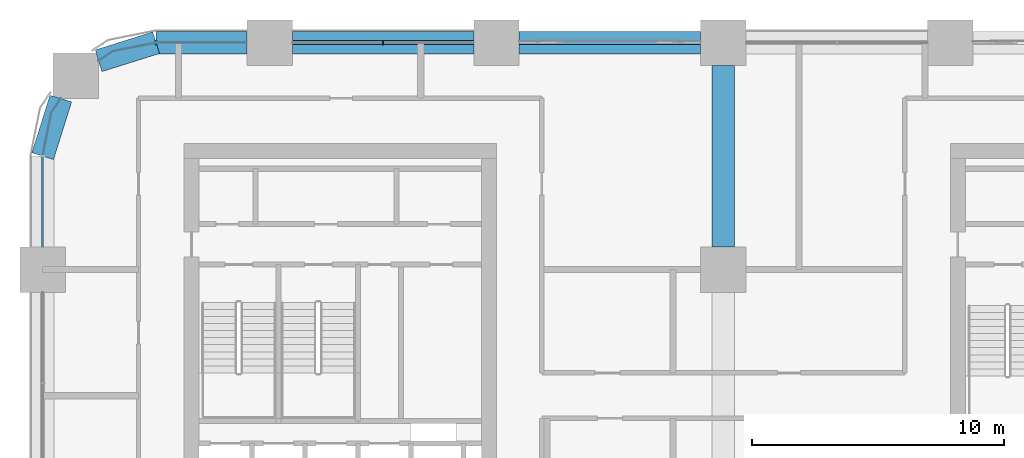
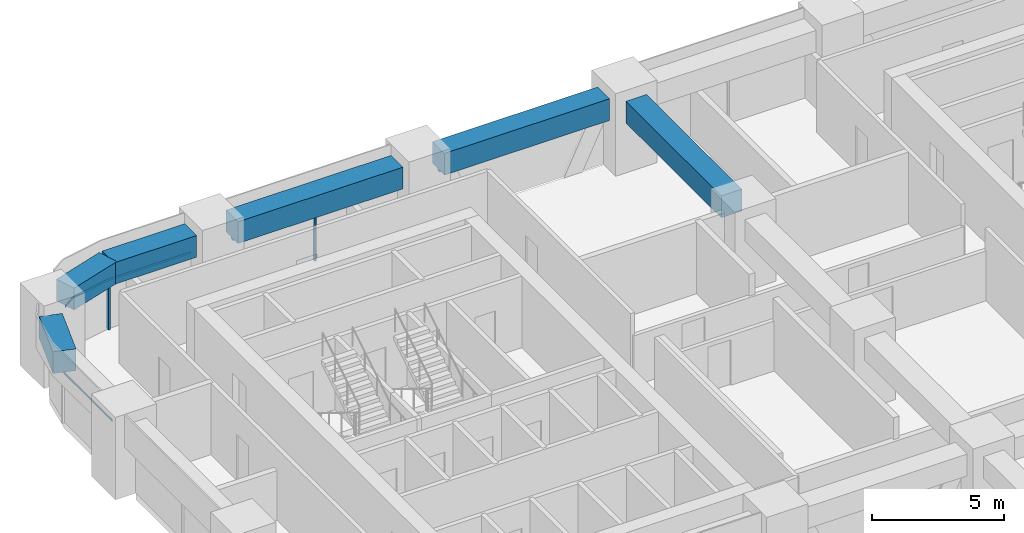
# One storey, part 8 of 20: 6 beams, 6 members, 4 elements without a shape of their own.
"""IFC4 building model written with IfcOpenShell, lengths in metres."""

from ifc_helpers import new_model, si_unit, direction, frame, origin, origin_2d, place, context, subcontext, project, spatial, polyline, rectangle, outline, extrude, material, material_profile, profile_set, type_object, element, aggregate, save


model = new_model("IFC4")

# Units and contexts
model_context = context("Model", 3, precision=1e-05, world=origin(), true_north=direction((0.0, 1.0)))
body_context = subcontext(model_context, "Body", "Model", "MODEL_VIEW")
ifc_project = project(units=[si_unit("LENGTHUNIT", "METRE"), si_unit("AREAUNIT", "SQUARE_METRE"), si_unit("VOLUMEUNIT", "CUBIC_METRE"), si_unit("PLANEANGLEUNIT", "RADIAN"), si_unit("MASSUNIT", "GRAM", prefix="KILO")], contexts=[model_context])

# Site, building, storey
site_placement = place(None, origin())
site = spatial("IfcSite", under=ifc_project, at=site_placement, CompositionType="ELEMENT")
building_placement = place(site_placement, origin())
building = spatial("IfcBuilding", under=site, at=building_placement, Name="Tessera Arch", CompositionType="ELEMENT")
storey_placement = place(building_placement, frame((0.0, 0.0, 119.60009765625)))
storey = spatial("IfcBuildingStorey", under=building, at=storey_placement, Name="L28", CompositionType="ELEMENT", Elevation=119.60009765625)

# Curtain wall, members
ifc_material_1 = material(Name="CW1 curtain wall")
curtain_wall_type_1 = type_object("IfcCurtainWallType", Name="CW1 curtain wall", PredefinedType="NOTDEFINED", material=ifc_material_1)
curtain_wall_1_placement = place(storey_placement, origin())
curtain_wall_1 = element("IfcCurtainWall", 1, at=curtain_wall_1_placement, inside=storey, type_object=curtain_wall_type_1, Name="CW1 curtain wall N54.0/3 L28", PredefinedType="NOTDEFINED")
ifc_material_2 = material(Name="Anodised aluminium pale metal", Category="aluminium")
ifc_material_profile_1 = material_profile(ifc_material_2, rectangle(XDim=0.159912109375, YDim=0.06005859375, at=origin_2d()), Name="AL 60x160")
ifc_profile_set_1 = profile_set([ifc_material_profile_1], Name="Anodised aluminium pale metal")
member_type_1 = type_object("IfcMemberType", Name="CW1 mullion", PredefinedType="MULLION", material=ifc_profile_set_1)
member_1_placement = place(storey_placement, frame((13.5, 54.0, 0.0), z_axis=(0.0, 0.0, 1.0), x_axis=(0.0, -1.0, 0.0)))
member_1 = element("IfcMember", 2, at=member_1_placement, type_object=member_type_1, Name="CW1 mullion N54.0/3 1", PredefinedType="MULLION", context=body_context, shape_type="SweptSolid", body=[
    extrude(rectangle(XDim=0.159912109375, YDim=0.06005859375, at=origin_2d()), origin(), (0.0, 0.0, 1.0), 2.199951171875),
])
ifc_material_3 = material(Name="Anodised aluminium pale metal", Category="aluminium")
ifc_material_profile_2 = material_profile(ifc_material_3, rectangle(XDim=0.159912109375, YDim=0.10009765625, at=origin_2d()), Name="AL 160x100")
ifc_profile_set_2 = profile_set([ifc_material_profile_2], Name="Anodised aluminium pale metal")
member_type_2 = type_object("IfcMemberType", Name="CW1 transom", PredefinedType="USERDEFINED", material=ifc_profile_set_2)
member_2_placement = place(storey_placement, frame((17.10009765625, 54.0, 2.25), z_axis=(-1.0, 0.0, 0.0), x_axis=(0.0, -1.0, 0.0)))
member_2 = element("IfcMember", 3, at=member_2_placement, type_object=member_type_2, Name="CW1 transom N54.0/3 1.1", ObjectType="TRANSOM", PredefinedType="USERDEFINED", context=body_context, shape_type="SweptSolid", body=[
    extrude(rectangle(XDim=0.159912109375, YDim=0.10009765625, at=origin_2d()), origin(), (0.0, 0.0, 1.0), 7.2001953125),
])
aggregate(curtain_wall_1, [member_1, member_2])

ifc_material_4 = material(Name="CW2 curtain wall")
curtain_wall_type_2 = type_object("IfcCurtainWallType", Name="CW2 curtain wall", PredefinedType="NOTDEFINED", material=ifc_material_4)
curtain_wall_2_placement = place(storey_placement, origin())
curtain_wall_2 = element("IfcCurtainWall", 4, at=curtain_wall_2_placement, inside=storey, type_object=curtain_wall_type_2, Name="CW2 curtain wall N54.0/4 L28", PredefinedType="NOTDEFINED")
ifc_material_5 = material(Name="Anodised aluminium pale metal", Category="aluminium")
ifc_material_profile_3 = material_profile(ifc_material_5, rectangle(XDim=0.199951171875, YDim=0.080078125, at=origin_2d()), Name="AL 80x200")
ifc_profile_set_3 = profile_set([ifc_material_profile_3], Name="Anodised aluminium pale metal")
member_type_3 = type_object("IfcMemberType", Name="CW2 mullion", PredefinedType="MULLION", material=ifc_profile_set_3)
member_3_placement = place(storey_placement, frame((4.5, 54.0, 0.0), z_axis=(0.0, 0.0, 1.0), x_axis=(0.0, -1.0, 0.0)))
member_3 = element("IfcMember", 5, at=member_3_placement, type_object=member_type_3, Name="CW2 mullion N54.0/4 1", PredefinedType="MULLION", context=body_context, shape_type="SweptSolid", body=[
    extrude(rectangle(XDim=0.199951171875, YDim=0.080078125, at=origin_2d()), origin(), (0.0, 0.0, 1.0), 2.199951171875),
])
ifc_material_6 = material(Name="Anodised aluminium pale metal", Category="aluminium")
ifc_material_profile_4 = material_profile(ifc_material_6, rectangle(XDim=0.199951171875, YDim=0.10009765625, at=origin_2d()), Name="AL 200x100")
ifc_profile_set_4 = profile_set([ifc_material_profile_4], Name="Anodised aluminium pale metal")
member_type_4 = type_object("IfcMemberType", Name="CW2 transom", PredefinedType="USERDEFINED", material=ifc_profile_set_4)
member_4_placement = place(storey_placement, frame((0.0, 0.0, 2.199951171875)))
member_4 = element("IfcMember", 6, at=member_4_placement, type_object=member_type_4, Name="CW2 transom N54.0/4 1", ObjectType="TRANSOM", PredefinedType="USERDEFINED", context=body_context, shape_type="SweptSolid", body=[
    extrude(outline(polyline([(4.5009765625, 53.989990234375), (8.10009765625, 53.989990234375), (8.10009765625, 54.010009765625), (4.4990234375, 54.010009765625), (2.77392578125, 53.6669921875), (2.21240234375, 53.29150390625), (2.2236328125, 53.27490234375), (2.78173828125, 53.648193359375), (4.5009765625, 53.989990234375)])), origin(), (0.0, 0.0, 1.0), 0.099853515625),
])
aggregate(curtain_wall_2, [member_3, member_4])

# Curtain wall, member
curtain_wall_3_placement = place(storey_placement, origin())
curtain_wall_3 = element("IfcCurtainWall", 7, at=curtain_wall_3_placement, inside=storey, type_object=curtain_wall_type_2, Name="CW2 curtain wall W0.27/0 L28", PredefinedType="NOTDEFINED")
member_5_placement = place(storey_placement, frame((0.0, 0.0, 2.199951171875)))
member_5 = element("IfcMember", 8, at=member_5_placement, type_object=member_type_4, Name="CW2 transom W0.27/0 1", ObjectType="TRANSOM", PredefinedType="USERDEFINED", context=body_context, shape_type="SweptSolid", body=[
    extrude(outline(polyline([(0.351806640625, 51.21826171875), (0.72509765625, 51.7763671875), (0.70849609375, 51.78759765625), (0.3330078125, 51.22607421875), (-0.010009765625, 49.5009765625), (-0.010009765625, 45.89990234375), (0.010009765625, 45.89990234375), (0.010009765625, 49.4990234375), (0.351806640625, 51.21826171875)])), origin(), (0.0, 0.0, 1.0), 0.099853515625),
])
aggregate(curtain_wall_3, [member_5])

ifc_material_7 = material(Name="CW3 curtain wall")
curtain_wall_type_3 = type_object("IfcCurtainWallType", Name="CW3 curtain wall", PredefinedType="NOTDEFINED", material=ifc_material_7)
curtain_wall_4_placement = place(storey_placement, origin())
curtain_wall_4 = element("IfcCurtainWall", 9, at=curtain_wall_4_placement, inside=storey, type_object=curtain_wall_type_3, Name="CW3 curtain wall N54.0/2 L28", PredefinedType="NOTDEFINED")
ifc_material_8 = material(Name="Anodised aluminium pale metal", Category="aluminium")
ifc_material_profile_5 = material_profile(ifc_material_8, rectangle(XDim=0.139892578125, YDim=0.10009765625, at=origin_2d()), Name="AL 140x100")
ifc_profile_set_5 = profile_set([ifc_material_profile_5], Name="Anodised aluminium pale metal")
member_type_5 = type_object("IfcMemberType", Name="CW3 transom", PredefinedType="USERDEFINED", material=ifc_profile_set_5)
member_6_placement = place(storey_placement, frame((26.10009765625, 54.0, 2.25), z_axis=(-1.0, 0.0, 0.0), x_axis=(0.0, -1.0, 0.0)))
member_6 = element("IfcMember", 10, at=member_6_placement, type_object=member_type_5, Name="CW3 transom N54.0/2 1.1", ObjectType="TRANSOM", PredefinedType="USERDEFINED", context=body_context, shape_type="SweptSolid", body=[
    extrude(rectangle(XDim=0.139892578125, YDim=0.10009765625, at=origin_2d()), origin(), (0.0, 0.0, 1.0), 7.2001953125),
])
aggregate(curtain_wall_4, [member_6])

# Beams
ifc_material_9 = material(Name="Concrete C80/95", Category="concrete")
ifc_material_profile_6 = material_profile(ifc_material_9, rectangle(XDim=0.89990234375, YDim=1.0, at=origin_2d()), Name="RC spandrel beam 900 x 1000 Concrete C80/95")
ifc_profile_set_6 = profile_set([ifc_material_profile_6], Name="Concrete C80/95")
beam_type = type_object("IfcBeamType", Name="RC spandrel beam 900 x 1000 Concrete C80/95", PredefinedType="BEAM", material=ifc_profile_set_6)
for number, where, z_axis, x_axis, name in (
    (11, (26.10009765625, 54.0, 2.7998046875), (-1.0, 0.0, 0.0), (0.0, -1.0, 0.0), "Spandrel beam L28 N54.0/2"),
    (12, (17.10009765625, 54.0, 2.7998046875), (-1.0, 0.0, 0.0), (0.0, -1.0, 0.0), "Spandrel beam L28 N54.0/3"),
):
    element("IfcBeam", number, at=place(storey_placement, frame(where, z_axis=z_axis, x_axis=x_axis)), inside=storey, type_object=beam_type, Name=name, PredefinedType="BEAM", context=body_context, shape_type="SweptSolid", body=[
        extrude(rectangle(XDim=0.89990234375, YDim=1.0, at=origin_2d()), origin(), (0.0, 0.0, 1.0), 7.2001953125),
    ])
beam_1_placement = place(storey_placement, frame((8.10009765625, 54.0, 2.7998046875), z_axis=(-1.0, 0.0, 0.0), x_axis=(0.0, -1.0, 0.0)))
element("IfcBeam", 13, at=beam_1_placement, inside=storey, type_object=beam_type, Name="Spandrel beam L28 N54.0/4.1", PredefinedType="BEAM", context=body_context, shape_type="SweptSolid", body=[
    extrude(rectangle(XDim=0.89990234375, YDim=1.0, at=origin_2d()), origin(), (0.0, 0.0, 1.0), 3.60009765625),
])
for number, where, z_axis, x_axis, name in (
    (14, (4.5, 54.0, 2.7998046875), (-0.954041251279, -0.299675309057, 0.0), (0.299675309057, -0.954041251279, 0.0), "Spandrel beam L28 N54.0/4.2"),
    (15, (0.716796875, 51.781982421875, 2.7998046875), (-0.299675309057, -0.954041251279, 0.0), (0.954041251279, -0.299675309057, 0.0), "Spandrel beam L28 W0.27/0.1"),
):
    element("IfcBeam", number, at=place(storey_placement, frame(where, z_axis=z_axis, x_axis=x_axis)), inside=storey, type_object=beam_type, Name=name, PredefinedType="BEAM", context=body_context, shape_type="SweptSolid", body=[
        extrude(rectangle(XDim=0.89990234375, YDim=1.0, at=origin_2d()), origin(), (0.0, 0.0, 1.0), 2.391845703125),
    ])
beam_2_placement = place(storey_placement, frame((27.0, 45.89990234375, 2.7998046875), z_axis=(0.0, 1.0, 0.0), x_axis=(-1.0, 0.0, 0.0)))
element("IfcBeam", 16, at=beam_2_placement, inside=storey, type_object=beam_type, Name="Interface beam L28 I0C4F-C4G", PredefinedType="BEAM", context=body_context, shape_type="SweptSolid", body=[
    extrude(rectangle(XDim=0.89990234375, YDim=1.0, at=origin_2d()), origin(), (0.0, 0.0, 1.0), 7.2001953125),
])

save(model, "model.ifc")
